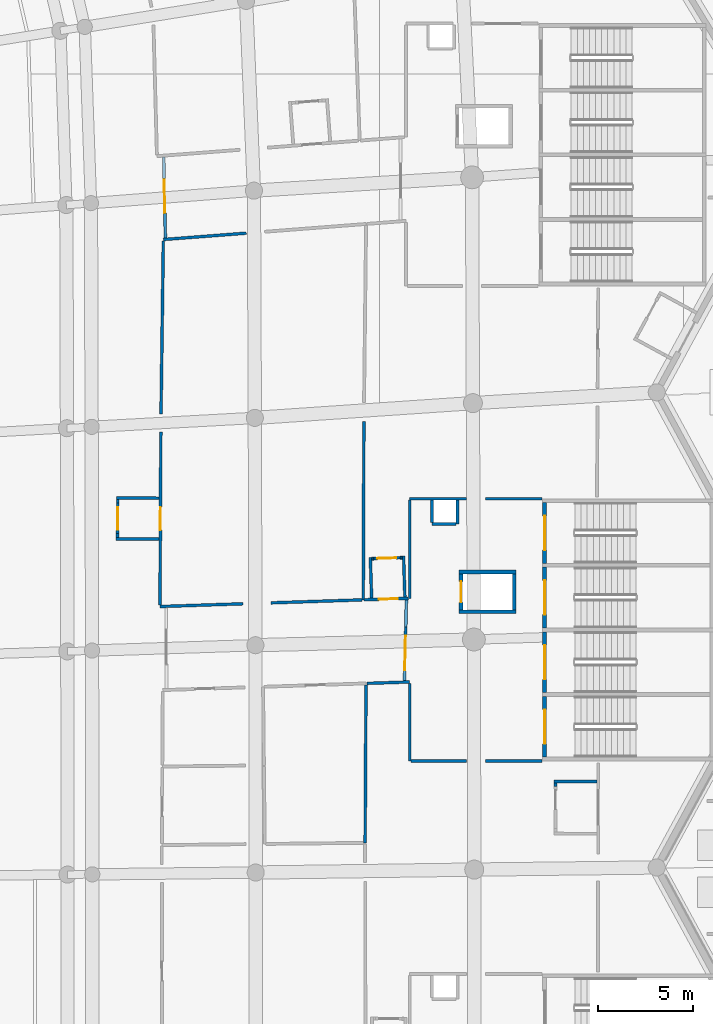
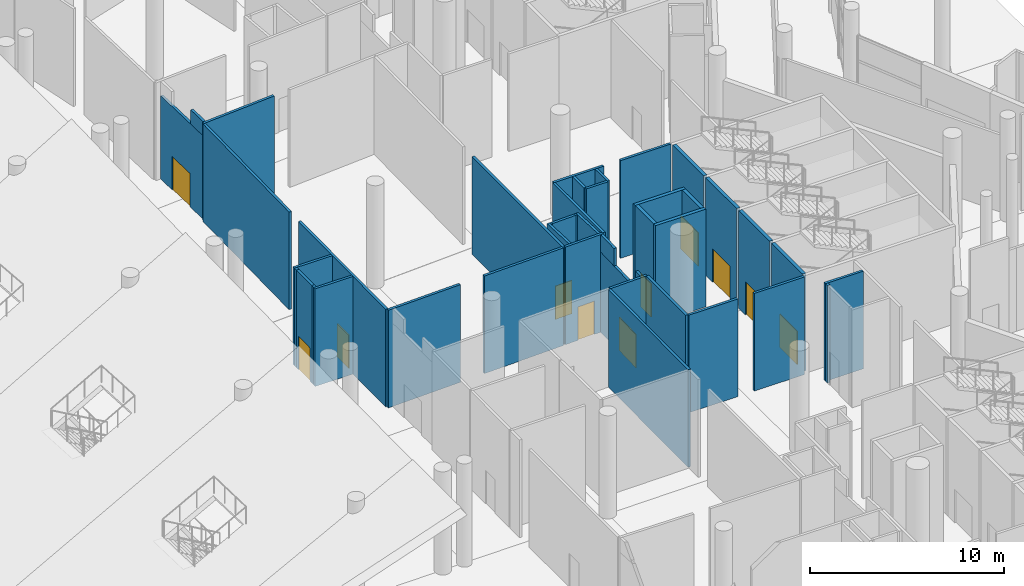
# One storey, part 145 of 255: 43 walls, 11 doors, 11 openings.
"""IFC4 building model written with IfcOpenShell, lengths in metres."""

from ifc_helpers import new_model, si_unit, direction, frame, frame_2d, origin, place, context, subcontext, project, spatial, rectangle, extrude, material, layer, layer_set, type_object, element, fill, save


model = new_model("IFC4")

# Units and contexts
model_context = context("Model", 3, precision=1e-05, world=origin(), true_north=direction((0.0, 1.0)))
body_context = subcontext(model_context, "Body", "Model", "MODEL_VIEW")
ifc_project = project(units=[si_unit("LENGTHUNIT", "METRE"), si_unit("AREAUNIT", "SQUARE_METRE"), si_unit("VOLUMEUNIT", "CUBIC_METRE"), si_unit("PLANEANGLEUNIT", "RADIAN"), si_unit("MASSUNIT", "GRAM", prefix="KILO")], contexts=[model_context])

# Site, building, storey
site_placement = place(None, origin())
site = spatial("IfcSite", under=ifc_project, at=site_placement, CompositionType="ELEMENT")
building_placement = place(site_placement, origin())
building = spatial("IfcBuilding", under=site, at=building_placement, Name="Meseta Stadium", CompositionType="ELEMENT")
storey_placement = place(building_placement, origin())
storey = spatial("IfcBuildingStorey", under=building, at=storey_placement, Name="L00", CompositionType="ELEMENT", Elevation=0.0)

# Wall, opening, door
ifc_material_1 = material(Name="Concrete C40/50", Category="concrete")
ifc_layer_1 = layer(ifc_material_1, 0.199951171875)
ifc_layer_set_1 = layer_set([ifc_layer_1], Name="Core shaft wall 200")
wall_type_1 = type_object("IfcWallType", Name="Core shaft wall 200", PredefinedType="SHEAR", material=ifc_layer_set_1)
wall_1_placement = place(storey_placement, frame((88.699951171875, 12.050048828125, 0.0), z_axis=(0.0, 0.0, 1.0), x_axis=(0.0, 1.0, 0.0)))
wall_1 = element("IfcWall", 1, at=wall_1_placement, inside=storey, type_object=wall_type_1, Name="Core 04 L00 stair A1 inner end wall", PredefinedType="SHEAR", context=body_context, shape_type="SweptSolid", body=[
    extrude(rectangle(XDim=3.199951171875, YDim=0.199951171875, at=frame_2d((1.60009765625, 0.0))), origin(), (0.0, 0.0, 1.0), 6.14990234375),
])
opening_1_placement = place(wall_1_placement, frame((0.699951171875, 0.0, 0.0)))
opening_1 = element("IfcOpeningElement", 2, at=opening_1_placement, cuts=wall_1, Name="Opening D071", PredefinedType="OPENING", context=body_context, shape_type="SweptSolid", body=[
    extrude(rectangle(XDim=1.800048828125, YDim=2.10009765625, at=frame_2d((0.89990234375, 1.050048828125))), frame((0.0, 0.10986328125, 0.0), z_axis=(0.0, -1.0, 0.0), x_axis=(1.0, 0.0, 0.0)), (0.0, 0.0, 1.0), 0.219970703125),
])
ifc_material_2 = material(Name="Steel", Category="steel")
door_type_1 = type_object("IfcDoorType", Name="Stair door 1800x2100", OperationType="DOUBLE_DOOR_SINGLE_SWING", PredefinedType="DOOR", material=ifc_material_2)
door_1_placement = place(opening_1_placement, origin())
door_1 = element("IfcDoor", 3, at=door_1_placement, inside=storey, type_object=door_type_1, Name="Stair A1 door 04 L00", OperationType="DOUBLE_DOOR_SINGLE_SWING", OverallHeight=2.10009765625, OverallWidth=1.800048828125, PredefinedType="DOOR", context=body_context, shape_type="SweptSolid", body=[
    extrude(rectangle(XDim=1.800048828125, YDim=2.10009765625, at=frame_2d((0.89990234375, 1.050048828125))), frame((0.0, 0.02490234375, 0.0), z_axis=(0.0, -1.0, 0.0), x_axis=(1.0, 0.0, 0.0)), (0.0, 0.0, 1.0), 0.050048828125),
])
fill(opening_1, door_1)

wall_2_placement = place(storey_placement, frame((88.699951171875, 15.449951171875, 0.0), z_axis=(0.0, 0.0, 1.0), x_axis=(0.0, 1.0, 0.0)))
wall_2 = element("IfcWall", 4, at=wall_2_placement, inside=storey, type_object=wall_type_1, Name="Core 04 L00 stair A2 inner end wall", PredefinedType="SHEAR", context=body_context, shape_type="SweptSolid", body=[
    extrude(rectangle(XDim=3.199951171875, YDim=0.199951171875, at=frame_2d((1.60009765625, 0.0))), origin(), (0.0, 0.0, 1.0), 6.14990234375),
])
opening_2_placement = place(wall_2_placement, frame((0.699951171875, 0.0, 0.0)))
opening_2 = element("IfcOpeningElement", 5, at=opening_2_placement, cuts=wall_2, Name="Opening D072", PredefinedType="OPENING", context=body_context, shape_type="SweptSolid", body=[
    extrude(rectangle(XDim=1.800048828125, YDim=2.10009765625, at=frame_2d((0.89990234375, 1.050048828125))), frame((0.0, 0.10986328125, 0.0), z_axis=(0.0, -1.0, 0.0), x_axis=(1.0, 0.0, 0.0)), (0.0, 0.0, 1.0), 0.219970703125),
])
door_2_placement = place(opening_2_placement, origin())
door_2 = element("IfcDoor", 6, at=door_2_placement, inside=storey, type_object=door_type_1, Name="Stair A2 door 04 L00", OperationType="DOUBLE_DOOR_SINGLE_SWING", OverallHeight=2.10009765625, OverallWidth=1.800048828125, PredefinedType="DOOR", context=body_context, shape_type="SweptSolid", body=[
    extrude(rectangle(XDim=1.800048828125, YDim=2.10009765625, at=frame_2d((0.89990234375, 1.050048828125))), frame((0.0, 0.02490234375, 0.0), z_axis=(0.0, -1.0, 0.0), x_axis=(1.0, 0.0, 0.0)), (0.0, 0.0, 1.0), 0.050048828125),
])
fill(opening_2, door_2)

wall_3_placement = place(storey_placement, frame((88.699951171875, 18.85009765625, 0.0), z_axis=(0.0, 0.0, 1.0), x_axis=(0.0, 1.0, 0.0)))
wall_3 = element("IfcWall", 7, at=wall_3_placement, inside=storey, type_object=wall_type_1, Name="Core 04 L00 stair B1 inner end wall", PredefinedType="SHEAR", context=body_context, shape_type="SweptSolid", body=[
    extrude(rectangle(XDim=3.199951171875, YDim=0.199951171875, at=frame_2d((1.60009765625, 0.0))), origin(), (0.0, 0.0, 1.0), 6.14990234375),
])
opening_3_placement = place(wall_3_placement, frame((0.699951171875, 0.0, 0.0)))
opening_3 = element("IfcOpeningElement", 8, at=opening_3_placement, cuts=wall_3, Name="Opening D073", PredefinedType="OPENING", context=body_context, shape_type="SweptSolid", body=[
    extrude(rectangle(XDim=1.800048828125, YDim=2.10009765625, at=frame_2d((0.89990234375, 1.050048828125))), frame((0.0, 0.10986328125, 0.0), z_axis=(0.0, -1.0, 0.0), x_axis=(1.0, 0.0, 0.0)), (0.0, 0.0, 1.0), 0.219970703125),
])
door_3_placement = place(opening_3_placement, origin())
door_3 = element("IfcDoor", 9, at=door_3_placement, inside=storey, type_object=door_type_1, Name="Stair B1 door 04 L00", OperationType="DOUBLE_DOOR_SINGLE_SWING", OverallHeight=2.10009765625, OverallWidth=1.800048828125, PredefinedType="DOOR", context=body_context, shape_type="SweptSolid", body=[
    extrude(rectangle(XDim=1.800048828125, YDim=2.10009765625, at=frame_2d((0.89990234375, 1.050048828125))), frame((0.0, 0.02490234375, 0.0), z_axis=(0.0, -1.0, 0.0), x_axis=(1.0, 0.0, 0.0)), (0.0, 0.0, 1.0), 0.050048828125),
])
fill(opening_3, door_3)

wall_4_placement = place(storey_placement, frame((88.699951171875, 22.25, 0.0), z_axis=(0.0, 0.0, 1.0), x_axis=(0.0, 1.0, 0.0)))
wall_4 = element("IfcWall", 10, at=wall_4_placement, inside=storey, type_object=wall_type_1, Name="Core 04 L00 stair B2 inner end wall", PredefinedType="SHEAR", context=body_context, shape_type="SweptSolid", body=[
    extrude(rectangle(XDim=3.199951171875, YDim=0.199951171875, at=frame_2d((1.60009765625, 0.0))), origin(), (0.0, 0.0, 1.0), 6.14990234375),
])
opening_4_placement = place(wall_4_placement, frame((0.699951171875, 0.0, 0.0)))
opening_4 = element("IfcOpeningElement", 11, at=opening_4_placement, cuts=wall_4, Name="Opening D074", PredefinedType="OPENING", context=body_context, shape_type="SweptSolid", body=[
    extrude(rectangle(XDim=1.800048828125, YDim=2.10009765625, at=frame_2d((0.89990234375, 1.050048828125))), frame((0.0, 0.10986328125, 0.0), z_axis=(0.0, -1.0, 0.0), x_axis=(1.0, 0.0, 0.0)), (0.0, 0.0, 1.0), 0.219970703125),
])
door_4_placement = place(opening_4_placement, origin())
door_4 = element("IfcDoor", 12, at=door_4_placement, inside=storey, type_object=door_type_1, Name="Stair B2 door 04 L00", OperationType="DOUBLE_DOOR_SINGLE_SWING", OverallHeight=2.10009765625, OverallWidth=1.800048828125, PredefinedType="DOOR", context=body_context, shape_type="SweptSolid", body=[
    extrude(rectangle(XDim=1.800048828125, YDim=2.10009765625, at=frame_2d((0.89990234375, 1.050048828125))), frame((0.0, 0.02490234375, 0.0), z_axis=(0.0, -1.0, 0.0), x_axis=(1.0, 0.0, 0.0)), (0.0, 0.0, 1.0), 0.050048828125),
])
fill(opening_4, door_4)

# Walls
for number, where, z_axis, x_axis, name in (
    (13, (87.199951171875, 19.699951171875, 0.0), (0.0, 0.0, 1.0), (-1.0, 0.0, 0.0), "Core 04 L00 lift shaft wall left"),
    (14, (87.199951171875, 21.800048828125, 0.0), (0.0, 0.0, 1.0), (-1.0, 0.0, 0.0), "Core 04 L00 lift shaft wall right"),
):
    element("IfcWall", number, at=place(storey_placement, frame(where, z_axis=z_axis, x_axis=x_axis)), inside=storey, type_object=wall_type_1, Name=name, PredefinedType="SHEAR", context=body_context, shape_type="SweptSolid", body=[
        extrude(rectangle(XDim=3.0, YDim=0.199951171875, at=frame_2d((1.5, 0.0))), origin(), (0.0, 0.0, 1.0), 6.14990234375),
    ])
wall_5_placement = place(storey_placement, frame((87.10009765625, 19.800048828125, 0.0), z_axis=(0.0, 0.0, 1.0), x_axis=(0.0, 1.0, 0.0)))
element("IfcWall", 15, at=wall_5_placement, inside=storey, type_object=wall_type_1, Name="Core 04 L00 lift shaft back wall", PredefinedType="SHEAR", context=body_context, shape_type="SweptSolid", body=[
    extrude(rectangle(XDim=1.89990234375, YDim=0.199951171875, at=frame_2d((0.949951171875, 0.0))), origin(), (0.0, 0.0, 1.0), 6.14990234375),
])

# Wall, opening, door
wall_6_placement = place(storey_placement, frame((84.300048828125, 19.800048828125, 0.0), z_axis=(0.0, 0.0, 1.0), x_axis=(0.0, 1.0, 0.0)))
wall_6 = element("IfcWall", 16, at=wall_6_placement, inside=storey, type_object=wall_type_1, Name="Core 04 L00 lift shaft front wall", PredefinedType="SHEAR", context=body_context, shape_type="SweptSolid", body=[
    extrude(rectangle(XDim=1.89990234375, YDim=0.199951171875, at=frame_2d((0.949951171875, 0.0))), origin(), (0.0, 0.0, 1.0), 6.14990234375),
])
opening_5_placement = place(wall_6_placement, frame((0.39990234375, 0.0, 0.0)))
opening_5 = element("IfcOpeningElement", 17, at=opening_5_placement, cuts=wall_6, Name="Opening LD20", PredefinedType="OPENING", context=body_context, shape_type="SweptSolid", body=[
    extrude(rectangle(XDim=1.10009765625, YDim=2.10009765625, at=frame_2d((0.550048828125, 1.050048828125))), frame((0.0, 0.10986328125, 0.0), z_axis=(0.0, -1.0, 0.0), x_axis=(1.0, 0.0, 0.0)), (0.0, 0.0, 1.0), 0.219970703125),
])
ifc_material_3 = material(Name="Steel", Category="steel")
door_type_2 = type_object("IfcDoorType", Name="Lift landing door 1100x2100", OperationType="SLIDING_TO_LEFT", PredefinedType="DOOR", material=ifc_material_3)
door_5_placement = place(opening_5_placement, origin())
door_5 = element("IfcDoor", 18, at=door_5_placement, inside=storey, type_object=door_type_2, Name="Lift landing door LD20", OperationType="SLIDING_TO_RIGHT", OverallHeight=2.10009765625, OverallWidth=1.10009765625, PredefinedType="DOOR", context=body_context, shape_type="SweptSolid", body=[
    extrude(rectangle(XDim=1.10009765625, YDim=2.10009765625, at=frame_2d((0.550048828125, 1.050048828125))), frame((0.0, 0.02490234375, 0.0), z_axis=(0.0, -1.0, 0.0), x_axis=(1.0, 0.0, 0.0)), (0.0, 0.0, 1.0), 0.050048828125),
])
fill(opening_5, door_5)

# Walls
ifc_material_4 = material(Name="Masonry blockwork", Category="masonry")
ifc_layer_2 = layer(ifc_material_4, 0.14990234375)
ifc_layer_set_2 = layer_set([ifc_layer_2], Name="Partition 150")
wall_type_2 = type_object("IfcWallType", Name="Partition 150", PredefinedType="PARTITIONING", material=ifc_layer_set_2)
wall_7_placement = place(storey_placement, frame((79.30126953125, 15.858642578125, 0.0), z_axis=(0.0, 0.0, 1.0), x_axis=(-0.005461831962, -0.999985084085, 0.0)))
element("IfcWall", 19, at=wall_7_placement, inside=storey, type_object=wall_type_2, Name="Partition L00 L00-cell02-1-0b2", PredefinedType="PARTITIONING", context=body_context, shape_type="SweptSolid", body=[
    extrude(rectangle(XDim=8.314208984375, YDim=0.14990234375, at=frame_2d((4.1572265625, 0.0))), origin(), (0.0, 0.0, 1.0), 6.14990234375),
])
wall_8_placement = place(storey_placement, frame((79.3515625, 15.935302734375, 0.0), z_axis=(0.0, 0.0, 1.0), x_axis=(0.999459266056, 0.032881233183, 0.0)))
element("IfcWall", 20, at=wall_8_placement, inside=storey, type_object=wall_type_2, Name="Partition L00 L00-cell02-2-0", PredefinedType="PARTITIONING", context=body_context, shape_type="SweptSolid", body=[
    extrude(rectangle(XDim=2.249755859375, YDim=0.14990234375, at=frame_2d((1.125, 0.0))), origin(), (0.0, 0.0, 1.0), 6.14990234375),
])
wall_9_placement = place(storey_placement, frame((81.60009765625, 15.934326171875, 0.0), z_axis=(0.0, 0.0, 1.0), x_axis=(0.0, -1.0, 0.0)))
element("IfcWall", 21, at=wall_9_placement, inside=storey, type_object=wall_type_2, Name="Partition L00 L00-cell02-2-0", PredefinedType="PARTITIONING", context=body_context, shape_type="SweptSolid", body=[
    extrude(rectangle(XDim=4.084228515625, YDim=0.14990234375, at=frame_2d((2.0419921875, 0.0))), origin(), (0.0, 0.0, 1.0), 6.14990234375),
])
wall_10_placement = place(storey_placement, frame((81.675048828125, 11.85009765625, 0.0), z_axis=(0.0, 0.0, 1.0), x_axis=(1.0, 0.0, 0.0)))
element("IfcWall", 22, at=wall_10_placement, inside=storey, type_object=wall_type_2, Name="Partition L00 L00-cell02-2-0", PredefinedType="PARTITIONING", context=body_context, shape_type="SweptSolid", body=[
    extrude(rectangle(XDim=2.907958984375, YDim=0.14990234375, at=frame_2d((1.4541015625, 0.0))), origin(), (0.0, 0.0, 1.0), 6.14990234375),
])
wall_11_placement = place(storey_placement, frame((85.5771484375, 11.85009765625, 0.0), z_axis=(0.0, 0.0, 1.0), x_axis=(1.0, 0.0, 0.0)))
element("IfcWall", 23, at=wall_11_placement, inside=storey, type_object=wall_type_2, Name="Partition L00 L00-cell02-2-0", PredefinedType="PARTITIONING", context=body_context, shape_type="SweptSolid", body=[
    extrude(rectangle(XDim=2.98291015625, YDim=0.14990234375, at=frame_2d((1.491455078125, 0.0))), origin(), (0.0, 0.0, 1.0), 6.14990234375),
])
wall_12_placement = place(storey_placement, frame((68.6376953125, 39.289794921875, 0.0), z_axis=(0.0, 0.0, 1.0), x_axis=(0.997067594877, 0.076525886114, 0.0)))
element("IfcWall", 24, at=wall_12_placement, inside=storey, type_object=wall_type_2, Name="Partition L00 L00-cell03-1-0", PredefinedType="PARTITIONING", context=body_context, shape_type="SweptSolid", body=[
    extrude(rectangle(XDim=4.377197265625, YDim=0.14990234375, at=frame_2d((2.1884765625, 0.0))), origin(), (0.0, 0.0, 1.0), 6.14990234375),
])
wall_13_placement = place(storey_placement, frame((79.19091796875, 29.724609375, 0.0), z_axis=(0.0, 0.0, 1.0), x_axis=(-0.003612711966, -0.999993474135, 0.0)))
element("IfcWall", 25, at=wall_13_placement, inside=storey, type_object=wall_type_2, Name="Partition L00 L00-cell03-1-0", PredefinedType="PARTITIONING", context=body_context, shape_type="SweptSolid", body=[
    extrude(rectangle(XDim=9.393310546875, YDim=0.14990234375, at=frame_2d((4.69677734375, 0.0))), origin(), (0.0, 0.0, 1.0), 6.14990234375),
])
wall_14_placement = place(storey_placement, frame((79.08203125, 20.328857421875, 0.0), z_axis=(0.0, 0.0, 1.0), x_axis=(-0.999459186373, -0.032883655132, 0.0)))
element("IfcWall", 26, at=wall_14_placement, inside=storey, type_object=wall_type_2, Name="Partition L00 L00-cell03-1-0", PredefinedType="PARTITIONING", context=body_context, shape_type="SweptSolid", body=[
    extrude(rectangle(XDim=4.788818359375, YDim=0.14990234375, at=frame_2d((2.39453125, 0.0))), origin(), (0.0, 0.0, 1.0), 6.14990234375),
])
wall_15_placement = place(storey_placement, frame((72.837646484375, 20.12353515625, 0.0), z_axis=(0.0, 0.0, 1.0), x_axis=(-0.999458381432, -0.032908111225, 0.0)))
element("IfcWall", 27, at=wall_15_placement, inside=storey, type_object=wall_type_2, Name="Partition L00 L00-cell03-1-0", PredefinedType="PARTITIONING", context=body_context, shape_type="SweptSolid", body=[
    extrude(rectangle(XDim=4.377197265625, YDim=0.14990234375, at=frame_2d((2.1884765625, 0.0))), origin(), (0.0, 0.0, 1.0), 6.14990234375),
])

# Wall, opening, door
wall_16_placement = place(storey_placement, frame((68.463134765625, 20.0546875, 0.0), z_axis=(0.0, 0.0, 1.0), x_axis=(0.004750858989, 0.999988714606, 0.0)))
wall_16 = element("IfcWall", 28, at=wall_16_placement, inside=storey, type_object=wall_type_2, Name="Partition L00 L00-cell03-1-0", PredefinedType="PARTITIONING", context=body_context, shape_type="SweptSolid", body=[
    extrude(rectangle(XDim=9.095703125, YDim=0.14990234375, at=frame_2d((4.5478515625, 0.0))), origin(), (0.0, 0.0, 1.0), 6.14990234375),
])
opening_6_placement = place(wall_16_placement, frame((3.949951171875, 0.0, 0.0)))
opening_6 = element("IfcOpeningElement", 29, at=opening_6_placement, cuts=wall_16, Name="Opening D546", PredefinedType="OPENING", context=body_context, shape_type="SweptSolid", body=[
    extrude(rectangle(XDim=1.199951171875, YDim=2.10009765625, at=frame_2d((0.60009765625, 1.050048828125))), frame((0.0, 0.0849609375, 0.0), z_axis=(0.0, -1.0, 0.0), x_axis=(1.0, 0.0, 0.0)), (0.0, 0.0, 1.0), 0.169921875),
])
ifc_material_5 = material(Name="Steel", Category="steel")
door_type_3 = type_object("IfcDoorType", Name="Fire door 1200x2100 EI2 60", OperationType="NOTDEFINED", PredefinedType="DOOR", material=ifc_material_5)
door_6_placement = place(opening_6_placement, origin())
door_6 = element("IfcDoor", 30, at=door_6_placement, inside=storey, type_object=door_type_3, Name="Door D546", OperationType="SINGLE_SWING_LEFT", OverallHeight=2.10009765625, OverallWidth=1.199951171875, PredefinedType="DOOR", context=body_context, shape_type="SweptSolid", body=[
    extrude(rectangle(XDim=1.199951171875, YDim=2.10009765625, at=frame_2d((0.60009765625, 1.050048828125))), frame((0.0, 0.02490234375, 0.0), z_axis=(0.0, -1.0, 0.0), x_axis=(1.0, 0.0, 0.0)), (0.0, 0.0, 1.0), 0.050048828125),
])
fill(opening_6, door_6)

# Walls
wall_17_placement = place(storey_placement, frame((68.51513671875, 30.115966796875, 0.0), z_axis=(0.0, 0.0, 1.0), x_axis=(0.013361477522, 0.999910731475, 0.0)))
element("IfcWall", 31, at=wall_17_placement, inside=storey, type_object=wall_type_2, Name="Partition L00 L00-cell03-1-0", PredefinedType="PARTITIONING", context=body_context, shape_type="SweptSolid", body=[
    extrude(rectangle(XDim=9.099365234375, YDim=0.14990234375, at=frame_2d((4.5498046875, 0.0))), origin(), (0.0, 0.0, 1.0), 6.14990234375),
])
for number, where, z_axis, x_axis, name in (
    (32, (88.56005859375, 25.64990234375, 0.0), (0.0, 0.0, 1.0), (-1.0, 0.0, 0.0), "Partition L00 L00-cell03-2-0"),
    (33, (84.5830078125, 25.64990234375, 0.0), (0.0, 0.0, 1.0), (-1.0, 0.0, 0.0), "Partition L00 L00-cell03-2-0"),
):
    element("IfcWall", number, at=place(storey_placement, frame(where, z_axis=z_axis, x_axis=x_axis)), inside=storey, type_object=wall_type_2, Name=name, PredefinedType="PARTITIONING", context=body_context, shape_type="SweptSolid", body=[
        extrude(rectangle(XDim=2.98291015625, YDim=0.14990234375, at=frame_2d((1.491455078125, 0.0))), origin(), (0.0, 0.0, 1.0), 6.14990234375),
    ])
wall_18_placement = place(storey_placement, frame((81.60009765625, 25.574951171875, 0.0), z_axis=(0.0, 0.0, 1.0), x_axis=(0.0, -1.0, 0.0)))
element("IfcWall", 34, at=wall_18_placement, inside=storey, type_object=wall_type_2, Name="Partition L00 L00-cell03-2-0", PredefinedType="PARTITIONING", context=body_context, shape_type="SweptSolid", body=[
    extrude(rectangle(XDim=5.163330078125, YDim=0.14990234375, at=frame_2d((2.58154296875, 0.0))), origin(), (0.0, 0.0, 1.0), 6.14990234375),
])

# Wall, opening, door
wall_19_placement = place(storey_placement, frame((81.52490234375, 20.4091796875, 0.0), z_axis=(0.0, 0.0, 1.0), x_axis=(-0.999460453172, -0.032845129702, 0.0)))
wall_19 = element("IfcWall", 35, at=wall_19_placement, inside=storey, type_object=wall_type_2, Name="Partition L00 L00-cell03-2-0", PredefinedType="PARTITIONING", context=body_context, shape_type="SweptSolid", body=[
    extrude(rectangle(XDim=2.319091796875, YDim=0.14990234375, at=frame_2d((1.15966796875, 0.0))), origin(), (0.0, 0.0, 1.0), 6.14990234375),
])
opening_7_placement = place(wall_19_placement, frame((0.550048828125, 0.0, 0.0)))
opening_7 = element("IfcOpeningElement", 36, at=opening_7_placement, cuts=wall_19, Name="Opening D547", PredefinedType="OPENING", context=body_context, shape_type="SweptSolid", body=[
    extrude(rectangle(XDim=1.0, YDim=2.10009765625, at=frame_2d((0.5, 1.050048828125))), frame((0.0, 0.0849609375, 0.0), z_axis=(0.0, -1.0, 0.0), x_axis=(1.0, 0.0, 0.0)), (0.0, 0.0, 1.0), 0.169921875),
])
ifc_material_6 = material(Name="Steel", Category="steel")
door_type_4 = type_object("IfcDoorType", Name="Fire door 1000x2100 EI2 60", OperationType="NOTDEFINED", PredefinedType="DOOR", material=ifc_material_6)
door_7_placement = place(opening_7_placement, origin())
door_7 = element("IfcDoor", 37, at=door_7_placement, inside=storey, type_object=door_type_4, Name="Door D547", OperationType="SINGLE_SWING_LEFT", OverallHeight=2.10009765625, OverallWidth=1.0, PredefinedType="DOOR", context=body_context, shape_type="SweptSolid", body=[
    extrude(rectangle(XDim=1.0, YDim=2.10009765625, at=frame_2d((0.5, 1.050048828125))), frame((0.0, 0.02490234375, 0.0), z_axis=(0.0, -1.0, 0.0), x_axis=(1.0, 0.0, 0.0)), (0.0, 0.0, 1.0), 0.050048828125),
])
fill(opening_7, door_7)

# Walls
wall_20_placement = place(storey_placement, frame((84.125, 24.324951171875, 0.0), z_axis=(0.0, 0.0, 1.0), x_axis=(0.0, 1.0, 0.0)))
element("IfcWall", 38, at=wall_20_placement, inside=storey, type_object=wall_type_2, Name="Pressurisation shaft wall L00 core 04", PredefinedType="PARTITIONING", context=body_context, shape_type="SweptSolid", body=[
    extrude(rectangle(XDim=1.2490234375, YDim=0.14990234375, at=frame_2d((0.62451171875, 0.0))), origin(), (0.0, 0.0, 1.0), 6.14990234375),
])
wall_21_placement = place(storey_placement, frame((82.77490234375, 25.573974609375, 0.0), z_axis=(0.0, 0.0, 1.0), x_axis=(0.0, -1.0, 0.0)))
element("IfcWall", 39, at=wall_21_placement, inside=storey, type_object=wall_type_2, Name="Pressurisation shaft wall L00 core 04", PredefinedType="PARTITIONING", context=body_context, shape_type="SweptSolid", body=[
    extrude(rectangle(XDim=1.174072265625, YDim=0.14990234375, at=frame_2d((0.5869140625, 0.0))), origin(), (0.0, 0.0, 1.0), 6.14990234375),
])
wall_22_placement = place(storey_placement, frame((82.77490234375, 24.324951171875, 0.0), z_axis=(0.0, 0.0, 1.0), x_axis=(1.0, 0.0, 0.0)))
element("IfcWall", 40, at=wall_22_placement, inside=storey, type_object=wall_type_2, Name="Pressurisation shaft wall L00 core 04", PredefinedType="PARTITIONING", context=body_context, shape_type="SweptSolid", body=[
    extrude(rectangle(XDim=1.275146484375, YDim=0.14990234375, at=frame_2d((0.6376953125, 0.0))), origin(), (0.0, 0.0, 1.0), 6.14990234375),
])
wall_23_placement = place(storey_placement, frame((91.44873046875, 10.775146484375, 0.0), z_axis=(0.0, 0.0, 1.0), x_axis=(-0.999999287688, 0.001193575539, 0.0)))
element("IfcWall", 41, at=wall_23_placement, inside=storey, type_object=wall_type_2, Name="Partition L00 L00-cell02-2-0 vestibule", PredefinedType="PARTITIONING", context=body_context, shape_type="SweptSolid", body=[
    extrude(rectangle(XDim=2.25, YDim=0.14990234375, at=frame_2d((1.125, 0.0))), origin(), (0.0, 0.0, 1.0), 6.14990234375),
])
wall_24_placement = place(storey_placement, frame((89.273681640625, 10.70263671875, 0.0), z_axis=(0.0, 0.0, 1.0), x_axis=(-0.001221000311, -0.999999254579, 0.0)))
element("IfcWall", 42, at=wall_24_placement, inside=storey, type_object=wall_type_2, Name="Partition L00 L00-cell02-2-0 vestibule", PredefinedType="PARTITIONING", context=body_context, shape_type="SweptSolid", body=[
    extrude(rectangle(XDim=0.199951171875, YDim=0.14990234375, at=frame_2d((0.10009765625, 0.0))), origin(), (0.0, 0.0, 1.0), 6.14990234375),
])
wall_25_placement = place(storey_placement, frame((68.404541015625, 23.52978515625, 0.0), z_axis=(0.0, 0.0, 1.0), x_axis=(-0.999988600724, 0.004774769228, 0.0)))
element("IfcWall", 43, at=wall_25_placement, inside=storey, type_object=wall_type_2, Name="Partition L00 L00-cell03-1-0 vestibule", PredefinedType="PARTITIONING", context=body_context, shape_type="SweptSolid", body=[
    extrude(rectangle(XDim=2.249755859375, YDim=0.14990234375, at=frame_2d((1.125, 0.0))), origin(), (0.0, 0.0, 1.0), 6.14990234375),
])
wall_26_placement = place(storey_placement, frame((68.414794921875, 25.679931640625, 0.0), z_axis=(0.0, 0.0, 1.0), x_axis=(-0.999988603198, 0.004774251144, 0.0)))
element("IfcWall", 44, at=wall_26_placement, inside=storey, type_object=wall_type_2, Name="Partition L00 L00-cell03-1-0 vestibule", PredefinedType="PARTITIONING", context=body_context, shape_type="SweptSolid", body=[
    extrude(rectangle(XDim=2.25, YDim=0.14990234375, at=frame_2d((1.125, 0.0))), origin(), (0.0, 0.0, 1.0), 6.14990234375),
])
wall_27_placement = place(storey_placement, frame((66.22998046875, 23.615234375, 0.0), z_axis=(0.0, 0.0, 1.0), x_axis=(0.004883946635, 0.999988073462, 0.0)))
element("IfcWall", 45, at=wall_27_placement, inside=storey, type_object=wall_type_2, Name="Partition L00 L00-cell03-1-0 vestibule", PredefinedType="PARTITIONING", context=body_context, shape_type="SweptSolid", body=[
    extrude(rectangle(XDim=0.199951171875, YDim=0.14990234375, at=frame_2d((0.10009765625, 0.0))), origin(), (0.0, 0.0, 1.0), 6.14990234375),
])

# Wall, opening, door
wall_28_placement = place(storey_placement, frame((66.23095703125, 23.815185546875, 0.0), z_axis=(0.0, 0.0, 1.0), x_axis=(0.004729883008, 0.999988814041, 0.0)))
wall_28 = element("IfcWall", 46, at=wall_28_placement, inside=storey, type_object=wall_type_2, Name="Partition L00 L00-cell03-1-0 vestibule", PredefinedType="PARTITIONING", context=body_context, shape_type="SweptSolid", body=[
    extrude(rectangle(XDim=1.60009765625, YDim=0.14990234375, at=frame_2d((0.800048828125, 0.0))), origin(), (0.0, 0.0, 1.0), 6.14990234375),
])
opening_8_placement = place(wall_28_placement, frame((0.199951171875, 0.0, 0.0)))
opening_8 = element("IfcOpeningElement", 47, at=opening_8_placement, cuts=wall_28, Name="Opening D826", PredefinedType="OPENING", context=body_context, shape_type="SweptSolid", body=[
    extrude(rectangle(XDim=1.199951171875, YDim=2.10009765625, at=frame_2d((0.60009765625, 1.050048828125))), frame((0.0, 0.0849609375, 0.0), z_axis=(0.0, -1.0, 0.0), x_axis=(1.0, 0.0, 0.0)), (0.0, 0.0, 1.0), 0.169921875),
])
door_8_placement = place(opening_8_placement, origin())
door_8 = element("IfcDoor", 48, at=door_8_placement, inside=storey, type_object=door_type_3, Name="Vestibule door L00 L00-cell03-1-0", OperationType="SINGLE_SWING_LEFT", OverallHeight=2.10009765625, OverallWidth=1.199951171875, PredefinedType="DOOR", context=body_context, shape_type="SweptSolid", body=[
    extrude(rectangle(XDim=1.199951171875, YDim=2.10009765625, at=frame_2d((0.60009765625, 1.050048828125))), frame((0.0, 0.02490234375, 0.0), z_axis=(0.0, -1.0, 0.0), x_axis=(1.0, 0.0, 0.0)), (0.0, 0.0, 1.0), 0.050048828125),
])
fill(opening_8, door_8)

# Walls
wall_29_placement = place(storey_placement, frame((66.238525390625, 25.415283203125, 0.0), z_axis=(0.0, 0.0, 1.0), x_axis=(0.004883946635, 0.999988073462, 0.0)))
element("IfcWall", 49, at=wall_29_placement, inside=storey, type_object=wall_type_2, Name="Partition L00 L00-cell03-1-0 vestibule", PredefinedType="PARTITIONING", context=body_context, shape_type="SweptSolid", body=[
    extrude(rectangle(XDim=0.199951171875, YDim=0.14990234375, at=frame_2d((0.10009765625, 0.0))), origin(), (0.0, 0.0, 1.0), 6.14990234375),
])
wall_30_placement = place(storey_placement, frame((81.34765625, 20.478515625, 0.0), z_axis=(0.0, 0.0, 1.0), x_axis=(-0.032819488058, 0.999461295501, 0.0)))
element("IfcWall", 50, at=wall_30_placement, inside=storey, type_object=wall_type_2, Name="Partition L00 L00-cell03-2-0 vestibule", PredefinedType="PARTITIONING", context=body_context, shape_type="SweptSolid", body=[
    extrude(rectangle(XDim=2.14990234375, YDim=0.14990234375, at=frame_2d((1.074951171875, 0.0))), origin(), (0.0, 0.0, 1.0), 6.14990234375),
])
wall_31_placement = place(storey_placement, frame((79.5986328125, 20.4208984375, 0.0), z_axis=(0.0, 0.0, 1.0), x_axis=(-0.032929189875, 0.999457687175, 0.0)))
element("IfcWall", 51, at=wall_31_placement, inside=storey, type_object=wall_type_2, Name="Partition L00 L00-cell03-2-0 vestibule", PredefinedType="PARTITIONING", context=body_context, shape_type="SweptSolid", body=[
    extrude(rectangle(XDim=2.150146484375, YDim=0.14990234375, at=frame_2d((1.0751953125, 0.0))), origin(), (0.0, 0.0, 1.0), 6.14990234375),
])
wall_32_placement = place(storey_placement, frame((81.20458984375, 22.5498046875, 0.0), z_axis=(0.0, 0.0, 1.0), x_axis=(-0.999417522997, -0.034126452005, 0.0)))
element("IfcWall", 52, at=wall_32_placement, inside=storey, type_object=wall_type_2, Name="Partition L00 L00-cell03-2-0 vestibule", PredefinedType="PARTITIONING", context=body_context, shape_type="SweptSolid", body=[
    extrude(rectangle(XDim=0.10009765625, YDim=0.14990234375, at=frame_2d((0.050048828125, 0.0))), origin(), (0.0, 0.0, 1.0), 6.14990234375),
])

# Wall, opening, door
wall_33_placement = place(storey_placement, frame((81.1044921875, 22.54638671875, 0.0), z_axis=(0.0, 0.0, 1.0), x_axis=(-0.999462381074, -0.032786412082, 0.0)))
wall_33 = element("IfcWall", 53, at=wall_33_placement, inside=storey, type_object=wall_type_2, Name="Partition L00 L00-cell03-2-0 vestibule", PredefinedType="PARTITIONING", context=body_context, shape_type="SweptSolid", body=[
    extrude(rectangle(XDim=1.39990234375, YDim=0.14990234375, at=frame_2d((0.699951171875, 0.0))), origin(), (0.0, 0.0, 1.0), 6.14990234375),
])
opening_9_placement = place(wall_33_placement, frame((0.199951171875, 0.0, 0.0)))
opening_9 = element("IfcOpeningElement", 54, at=opening_9_placement, cuts=wall_33, Name="Opening D827", PredefinedType="OPENING", context=body_context, shape_type="SweptSolid", body=[
    extrude(rectangle(XDim=1.0, YDim=2.10009765625, at=frame_2d((0.5, 1.050048828125))), frame((0.0, 0.0849609375, 0.0), z_axis=(0.0, -1.0, 0.0), x_axis=(1.0, 0.0, 0.0)), (0.0, 0.0, 1.0), 0.169921875),
])
door_9_placement = place(opening_9_placement, origin())
door_9 = element("IfcDoor", 55, at=door_9_placement, inside=storey, type_object=door_type_4, Name="Vestibule door L00 L00-cell03-2-0", OperationType="SINGLE_SWING_LEFT", OverallHeight=2.10009765625, OverallWidth=1.0, PredefinedType="DOOR", context=body_context, shape_type="SweptSolid", body=[
    extrude(rectangle(XDim=1.0, YDim=2.10009765625, at=frame_2d((0.5, 1.050048828125))), frame((0.0, 0.02490234375, 0.0), z_axis=(0.0, -1.0, 0.0), x_axis=(1.0, 0.0, 0.0)), (0.0, 0.0, 1.0), 0.050048828125),
])
fill(opening_9, door_9)

# Wall
wall_34_placement = place(storey_placement, frame((79.705322265625, 22.50048828125, 0.0), z_axis=(0.0, 0.0, 1.0), x_axis=(-0.999495244364, -0.031768797498, 0.0)))
element("IfcWall", 56, at=wall_34_placement, inside=storey, type_object=wall_type_2, Name="Partition L00 L00-cell03-2-0 vestibule", PredefinedType="PARTITIONING", context=body_context, shape_type="SweptSolid", body=[
    extrude(rectangle(XDim=0.099853515625, YDim=0.14990234375, at=frame_2d((0.0498046875, 0.0))), origin(), (0.0, 0.0, 1.0), 6.14990234375),
])

# Wall, opening, door
wall_35_placement = place(storey_placement, frame((81.327392578125, 16.08056640625, 0.0), z_axis=(0.0, 0.0, 1.0), x_axis=(0.023572927834, 0.999722119928, 0.0)))
wall_35 = element("IfcWall", 57, at=wall_35_placement, inside=storey, type_object=wall_type_2, Name="Escape corridor sector wall L00 core 04", PredefinedType="PARTITIONING", context=body_context, shape_type="SweptSolid", body=[
    extrude(rectangle(XDim=4.246337890625, YDim=0.14990234375, at=frame_2d((2.123046875, 0.0))), origin(), (0.0, 0.0, 1.0), 5.050048828125),
])
opening_10_placement = place(wall_35_placement, frame((0.550048828125, 0.0, 0.0)))
opening_10 = element("IfcOpeningElement", 58, at=opening_10_placement, cuts=wall_35, Name="Opening D408", PredefinedType="OPENING", context=body_context, shape_type="SweptSolid", body=[
    extrude(rectangle(XDim=1.800048828125, YDim=2.10009765625, at=frame_2d((0.89990234375, 1.050048828125))), frame((0.0, 0.0849609375, 0.0), z_axis=(0.0, -1.0, 0.0), x_axis=(1.0, 0.0, 0.0)), (0.0, 0.0, 1.0), 0.169921875),
])
ifc_material_7 = material(Name="Steel", Category="steel")
door_type_5 = type_object("IfcDoorType", Name="Fire double door 1800x2100 EI2 60", OperationType="DOUBLE_DOOR_SINGLE_SWING", PredefinedType="DOOR", material=ifc_material_7)
door_10_placement = place(opening_10_placement, origin())
door_10 = element("IfcDoor", 59, at=door_10_placement, inside=storey, type_object=door_type_5, Name="Escape corridor door EC04-1", OperationType="DOUBLE_DOOR_SINGLE_SWING", OverallHeight=2.10009765625, OverallWidth=1.800048828125, PredefinedType="DOOR", context=body_context, shape_type="SweptSolid", body=[
    extrude(rectangle(XDim=1.800048828125, YDim=2.10009765625, at=frame_2d((0.89990234375, 1.050048828125))), frame((0.0, 0.02490234375, 0.0), z_axis=(0.0, -1.0, 0.0), x_axis=(1.0, 0.0, 0.0)), (0.0, 0.0, 1.0), 0.050048828125),
])
fill(opening_10, door_10)

# Walls
wall_36_placement = place(storey_placement, frame((81.327392578125, 16.08056640625, 5.050048828125), z_axis=(0.0, 0.0, 1.0), x_axis=(0.023431065349, 0.999725454901, 0.0)))
element("IfcWall", 60, at=wall_36_placement, inside=storey, type_object=wall_type_2, Name="Escape corridor sector wall L00 core 04", PredefinedType="PARTITIONING", context=body_context, shape_type="SweptSolid", body=[
    extrude(rectangle(XDim=0.500244140625, YDim=0.14990234375, at=frame_2d((0.25, 0.0))), origin(), (0.0, 0.0, 1.0), 1.099853515625),
])
wall_37_placement = place(storey_placement, frame((81.393798828125, 18.89404296875, 5.050048828125), z_axis=(0.0, 0.0, 1.0), x_axis=(0.023526910325, 0.999723203937, 0.0)))
element("IfcWall", 61, at=wall_37_placement, inside=storey, type_object=wall_type_2, Name="Escape corridor sector wall L00 core 04", PredefinedType="PARTITIONING", context=body_context, shape_type="SweptSolid", body=[
    extrude(rectangle(XDim=1.43212890625, YDim=0.14990234375, at=frame_2d((0.716064453125, 0.0))), origin(), (0.0, 0.0, 1.0), 1.099853515625),
])

# Wall, opening, door
wall_38_placement = place(storey_placement, frame((68.747314453125, 39.378662109375, 0.0), z_axis=(0.0, 0.0, 1.0), x_axis=(-0.021274227103, 0.99977367802, 0.0)))
wall_38 = element("IfcWall", 62, at=wall_38_placement, inside=storey, type_object=wall_type_2, Name="Escape corridor discharge wall L00 core 05", PredefinedType="PARTITIONING", context=body_context, shape_type="SweptSolid", body=[
    extrude(rectangle(XDim=4.24609375, YDim=0.14990234375, at=frame_2d((2.123046875, 0.0))), origin(), (0.0, 0.0, 1.0), 5.25),
])
opening_11_placement = place(wall_38_placement, frame((1.296142578125, 0.0, 0.0)))
opening_11 = element("IfcOpeningElement", 63, at=opening_11_placement, cuts=wall_38, Name="Opening D381", PredefinedType="OPENING", context=body_context, shape_type="SweptSolid", body=[
    extrude(rectangle(XDim=1.800048828125, YDim=2.10009765625, at=frame_2d((0.89990234375, 1.050048828125))), frame((0.0, 0.0849609375, 0.0), z_axis=(0.0, -1.0, 0.0), x_axis=(1.0, 0.0, 0.0)), (0.0, 0.0, 1.0), 0.169921875),
])
door_11_placement = place(opening_11_placement, origin())
door_11 = element("IfcDoor", 64, at=door_11_placement, inside=storey, type_object=door_type_5, Name="Stair discharge door SD05-1", OperationType="DOUBLE_DOOR_SINGLE_SWING", OverallHeight=2.10009765625, OverallWidth=1.800048828125, PredefinedType="DOOR", context=body_context, shape_type="SweptSolid", body=[
    extrude(rectangle(XDim=1.800048828125, YDim=2.10009765625, at=frame_2d((0.89990234375, 1.050048828125))), frame((0.0, 0.02490234375, 0.0), z_axis=(0.0, -1.0, 0.0), x_axis=(1.0, 0.0, 0.0)), (0.0, 0.0, 1.0), 0.050048828125),
])
fill(opening_11, door_11)

# Wall
wall_39_placement = place(storey_placement, frame((68.747314453125, 39.378662109375, 5.25), z_axis=(0.0, 0.0, 1.0), x_axis=(-0.021355113255, 0.999771953566, 0.0)))
element("IfcWall", 65, at=wall_39_placement, inside=storey, type_object=wall_type_2, Name="Escape corridor discharge wall L00 core 05", PredefinedType="PARTITIONING", context=body_context, shape_type="SweptSolid", body=[
    extrude(rectangle(XDim=1.24609375, YDim=0.14990234375, at=frame_2d((0.623046875, 0.0))), origin(), (0.0, 0.0, 1.0), 0.89990234375),
])

save(model, "model.ifc")
